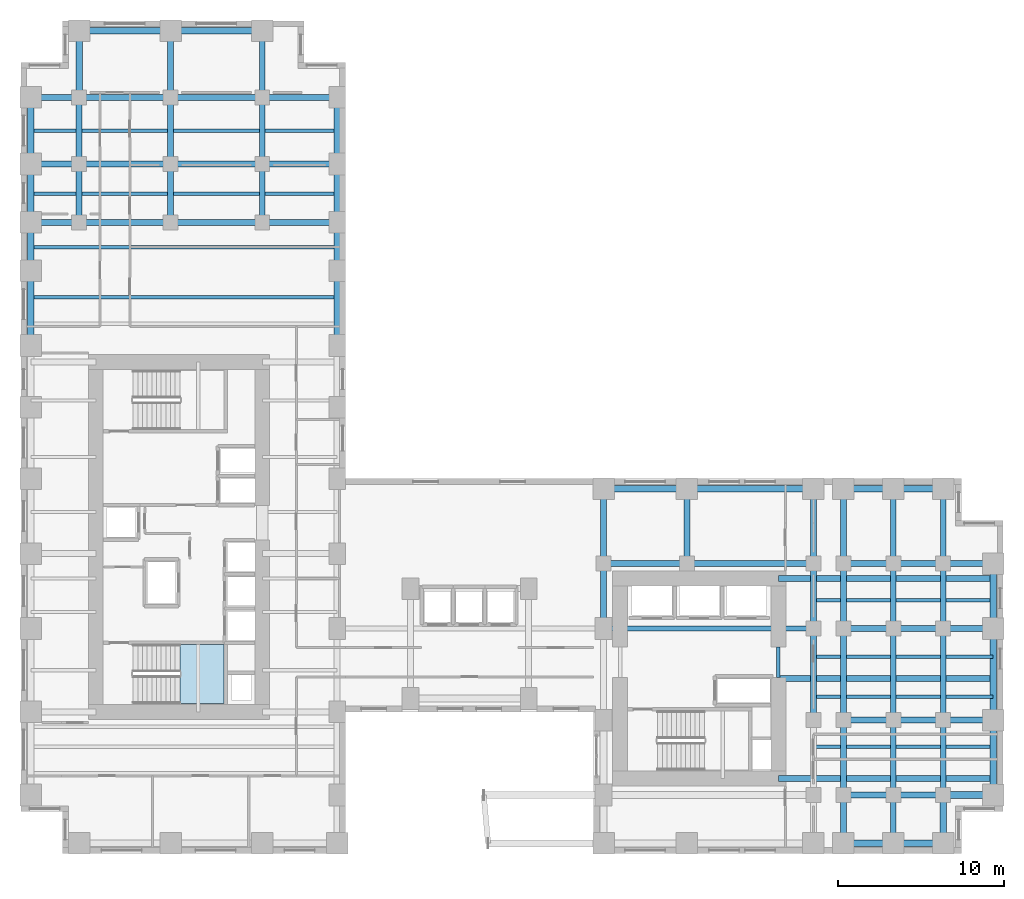
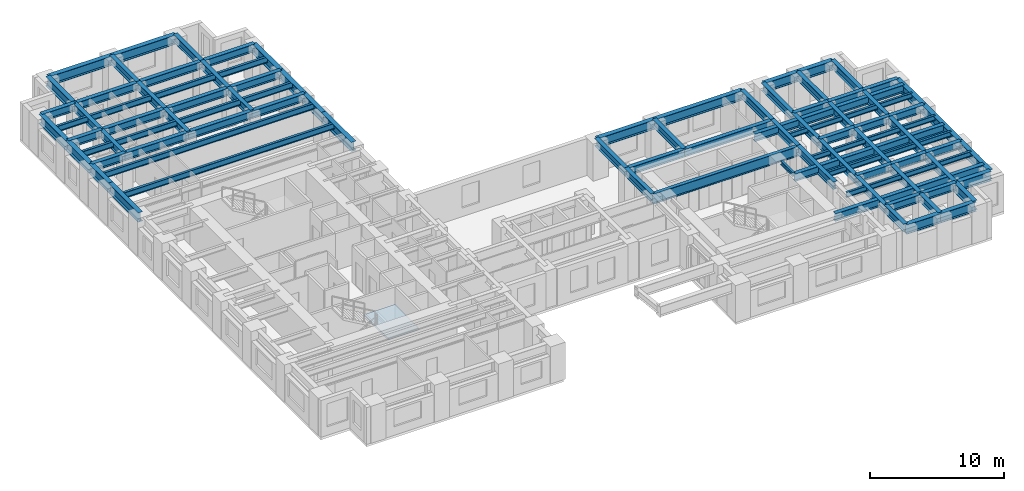
# One storey, part 4 of 14: 88 beams, 1 slab, 1 element without a shape of its own.
"""IFC4 building model written with IfcOpenShell, lengths in metres."""

import ifcopenshell
import ifcopenshell.guid

model = None  # the IFC model being written
_history = None  # IfcOwnerHistory: only IFC2X3 demands one
_inside = {}  # id of a spatial element -> (the spatial element, [elements in it])
_under = {}  # id of a project, library or spatial element -> (it, [spatial elements below it])
_declared = {}  # id of a project -> (the project, [libraries it declares])
_typed = {}  # id of a type object -> (the type object, [elements of that type])
_made_of = {}  # id of a material, layer set ... -> (it, [elements and type objects made of it])


def new_model(schema):
    """Start an empty IFC model of exactly this schema.

    Asked for "IFC4X3", IfcOpenShell would pick the latest addendum, in which some entities
    have other attributes; the version numbers below select the first issue.
    IFC2X3 requires an IfcOwnerHistory on every rooted entity: one is made here for all.
    """
    global model, _history
    if schema == "IFC4X3":
        model = ifcopenshell.file(schema_version=(4, 3, 0, 0))
    else:
        model = ifcopenshell.file(schema=schema)
    _inside.clear()
    _under.clear()
    _declared.clear()
    _typed.clear()
    _made_of.clear()
    _history = None
    if model.schema == "IFC2X3":
        org = make("IfcOrganization", Name="unknown")
        user = make(
            "IfcPersonAndOrganization",
            ThePerson=make("IfcPerson", FamilyName="unknown"),
            TheOrganization=org,
        )
        app = make(
            "IfcApplication",
            ApplicationDeveloper=org,
            Version="unknown",
            ApplicationFullName="unknown",
            ApplicationIdentifier="unknown",
        )
        _history = make(
            "IfcOwnerHistory",
            OwningUser=user,
            OwningApplication=app,
            ChangeAction="ADDED",
            CreationDate=0,
        )
    return model


def make(cls, **values):
    """One entity of the class cls with the attributes given. An attribute that is None is left unset."""
    return model.create_entity(
        cls, **{name: value for name, value in values.items() if value is not None}
    )


def rooted(cls, **values):
    """An entity with a GlobalId (a new one), such as an element, a storey or a relation."""
    return make(cls, GlobalId=ifcopenshell.guid.new(), OwnerHistory=_history, **values)


def si_unit(unit_type, name, prefix=None):
    """IfcSIUnit, for example si_unit("LENGTHUNIT", "METRE", prefix="MILLI")."""
    return make("IfcSIUnit", UnitType=unit_type, Prefix=prefix, Name=name)


def assignment(units):
    """IfcUnitAssignment: the units of a project."""
    return None if units is None else make("IfcUnitAssignment", Units=units)


def point(xyz):
    """IfcCartesianPoint."""
    return None if xyz is None else make("IfcCartesianPoint", Coordinates=xyz)


def direction(xyz):
    """IfcDirection."""
    return None if xyz is None else make("IfcDirection", DirectionRatios=xyz)


def frame(location, z_axis=None, x_axis=None):
    """IfcAxis2Placement3D, a coordinate frame: its origin and axes. An axis left out is left unset."""
    return make(
        "IfcAxis2Placement3D",
        Location=point(location),
        Axis=direction(z_axis),
        RefDirection=direction(x_axis),
    )


def frame_2d(location, x_axis=None):
    """IfcAxis2Placement2D, a coordinate frame in the plane: its origin and x axis."""
    return make(
        "IfcAxis2Placement2D", Location=point(location), RefDirection=direction(x_axis)
    )


def origin():
    """The frame at (0, 0, 0) with its axes left unset."""
    return frame((0.0, 0.0, 0.0))


def origin_2d():
    """The frame at (0, 0) in the plane with its x axis left unset."""
    return frame_2d((0.0, 0.0))


def place(relative_to, where):
    """IfcLocalPlacement: puts the frame where relative to a parent placement (None: the world)."""
    return make(
        "IfcLocalPlacement", PlacementRelTo=relative_to, RelativePlacement=where
    )


def context(
    kind, dimensions, precision=None, world=None, true_north=None, identifier=None
):
    """IfcGeometricRepresentationContext, for example the 3D "Model" context."""
    return make(
        "IfcGeometricRepresentationContext",
        ContextIdentifier=identifier,
        ContextType=kind,
        CoordinateSpaceDimension=dimensions,
        Precision=precision,
        WorldCoordinateSystem=world,
        TrueNorth=true_north,
    )


def subcontext(parent, identifier, kind, view, scale=None):
    """IfcGeometricRepresentationSubContext, for example "Body" below "Model"."""
    return make(
        "IfcGeometricRepresentationSubContext",
        ContextIdentifier=identifier,
        ContextType=kind,
        ParentContext=parent,
        TargetScale=scale,
        TargetView=view,
    )


def project(units=None, contexts=None):
    """IfcProject with its units and contexts."""
    return rooted(
        "IfcProject",
        Name="project",
        RepresentationContexts=contexts,
        UnitsInContext=assignment(units),
    )


def spatial(cls, under=None, at=None, **own):
    """A site, building, storey or space (cls), placed at a placement, below another one or the project."""
    s = rooted(cls, ObjectPlacement=at, **own)
    if under is not None:
        _under.setdefault(under.id(), (under, []))[1].append(s)
    return s


def polyline(points):
    """IfcPolyline through the points."""
    return make("IfcPolyline", Points=[point(p) for p in points])


def profile(cls, at=None, kind="AREA", **sizes):
    """A parametric profile (cls). Its sizes go by their IFC names, for example OverallWidth=200.0."""
    return make(cls, ProfileType=kind, Position=at, **sizes)


def i_section(**sizes):
    """IfcIShapeProfileDef."""
    return profile("IfcIShapeProfileDef", **sizes)


def outline(outer, holes=None, kind="AREA"):
    """IfcArbitraryClosedProfileDef: a profile drawn as a closed curve; with holes, ...WithVoids."""
    if holes is None:
        return make("IfcArbitraryClosedProfileDef", ProfileType=kind, OuterCurve=outer)
    return make(
        "IfcArbitraryProfileDefWithVoids",
        ProfileType=kind,
        OuterCurve=outer,
        InnerCurves=holes,
    )


def extrude(swept, where, along, depth):
    """IfcExtrudedAreaSolid: the profile swept, set in the frame where, extruded along a direction by depth."""
    return make(
        "IfcExtrudedAreaSolid",
        SweptArea=swept,
        Position=where,
        ExtrudedDirection=direction(along),
        Depth=depth,
    )


def shape(context_of_items, identifier, shape_type, items):
    """IfcShapeRepresentation: the items that make up one representation, for example the "Body"."""
    return make(
        "IfcShapeRepresentation",
        ContextOfItems=context_of_items,
        RepresentationIdentifier=identifier,
        RepresentationType=shape_type,
        Items=items,
    )


def source(mapping_origin, context_of_items, identifier, shape_type, items):
    """IfcRepresentationMap: a shape defined once, which mapped items show again and again."""
    return make(
        "IfcRepresentationMap",
        MappingOrigin=mapping_origin,
        MappedRepresentation=shape(context_of_items, identifier, shape_type, items),
    )


def transform(
    local_origin,
    x_axis=None,
    y_axis=None,
    z_axis=None,
    scale=None,
    scale2=None,
    scale3=None,
    uniform=True,
):
    """IfcCartesianTransformationOperator3D, or its non-uniform kind. x_axis, y_axis, z_axis: its Axis1, 2, 3."""
    if uniform:
        return make(
            "IfcCartesianTransformationOperator3D",
            Axis1=direction(x_axis),
            Axis2=direction(y_axis),
            LocalOrigin=point(local_origin),
            Scale=scale,
            Axis3=direction(z_axis),
        )
    return make(
        "IfcCartesianTransformationOperator3DnonUniform",
        Axis1=direction(x_axis),
        Axis2=direction(y_axis),
        LocalOrigin=point(local_origin),
        Scale=scale,
        Axis3=direction(z_axis),
        Scale2=scale2,
        Scale3=scale3,
    )


def mapped(mapping_source, mapping_target):
    """IfcMappedItem: shows the shape of a source again, moved by a transform."""
    return make(
        "IfcMappedItem", MappingSource=mapping_source, MappingTarget=mapping_target
    )


def material(Name=None, Category=None):
    """IfcMaterial."""
    return make("IfcMaterial", Name=Name, Category=Category)


def layer(
    of_material, thickness, ventilated=None, Name=None, Category=None, Priority=None
):
    """IfcMaterialLayer: one layer of a wall or slab, of a material (None: an air gap)."""
    return make(
        "IfcMaterialLayer",
        Material=of_material,
        LayerThickness=thickness,
        IsVentilated=ventilated,
        Name=Name,
        Category=Category,
        Priority=Priority,
    )


def layer_set(layers, Name=None):
    """IfcMaterialLayerSet."""
    return make("IfcMaterialLayerSet", MaterialLayers=layers, LayerSetName=Name)


def material_profile(
    of_material, cross_section, Name=None, Category=None, Priority=None
):
    """IfcMaterialProfile: a cross section and its material."""
    return make(
        "IfcMaterialProfile",
        Name=Name,
        Material=of_material,
        Profile=cross_section,
        Priority=Priority,
        Category=Category,
    )


def profile_set(profiles, Name=None, composite=None):
    """IfcMaterialProfileSet."""
    return make(
        "IfcMaterialProfileSet",
        Name=Name,
        MaterialProfiles=profiles,
        CompositeProfile=composite,
    )


def made_of(thing, what):
    """Note that an element or type object is made of a material, layer set ...; save() writes the relation."""
    if what is not None:
        _made_of.setdefault(what.id(), (what, []))[1].append(thing)
    return thing


def type_object(cls, material=None, **own):
    """A type object (cls), such as IfcWallType, which elements share."""
    return made_of(rooted(cls, **own), material)


def element(
    cls,
    number,
    at=None,
    inside=None,
    cuts=None,
    type_object=None,
    material=None,
    context=None,
    identifier="Body",
    shape_type=None,
    held_by="IfcProductDefinitionShape",
    body=None,
    shapes=None,
    **own,
):
    """One element of the class cls, such as IfcWall. Its Tag is "e" and its number.

    at: its placement. inside: the storey or other place that contains it. cuts: it is an
    opening in that element (IfcRelVoidsElement). A single representation is given by context,
    identifier, shape_type and body (its items); several are given by shapes. held_by: the class
    of the entity that holds the representations. save() writes the other relations.
    """
    e = rooted(cls, Tag="e%d" % number, ObjectPlacement=at, **own)
    if body is not None:
        shapes = [shape(context, identifier, shape_type, body)]
    if shapes is not None:
        e.Representation = make(held_by, Representations=shapes)
    if inside is not None:
        _inside.setdefault(inside.id(), (inside, []))[1].append(e)
    if cuts is not None:
        rooted(
            "IfcRelVoidsElement", RelatingBuildingElement=cuts, RelatedOpeningElement=e
        )
    if type_object is not None:
        _typed.setdefault(type_object.id(), (type_object, []))[1].append(e)
    return made_of(e, material)


def aggregate(whole, parts):
    """IfcRelAggregates: a whole, such as a stair, and the parts it consists of."""
    return rooted("IfcRelAggregates", RelatingObject=whole, RelatedObjects=parts)


def save(model, path):
    """Write the relations noted so far, then the file.

    IfcRelAggregates (storeys below a building ...), IfcRelContainedInSpatialStructure (elements
    in a storey), IfcRelDefinesByType, IfcRelAssociatesMaterial and IfcRelDeclares: one each for
    every whole, place, type object, material and project.
    """
    for whole, parts in _under.values():
        aggregate(whole, parts)
    for where, things in _inside.values():
        rooted(
            "IfcRelContainedInSpatialStructure",
            RelatedElements=things,
            RelatingStructure=where,
        )
    for kind, things in _typed.values():
        rooted("IfcRelDefinesByType", RelatedObjects=things, RelatingType=kind)
    for what, things in _made_of.values():
        rooted("IfcRelAssociatesMaterial", RelatedObjects=things, RelatingMaterial=what)
    for by, libraries in _declared.values():
        rooted("IfcRelDeclares", RelatingContext=by, RelatedDefinitions=libraries)
    model.write(path)


model = new_model("IFC4")

# Units and contexts
model_context = context("Model", 3, precision=1e-05, world=origin(), true_north=direction((0.0, 1.0)))
body_context = subcontext(model_context, "Body", "Model", "MODEL_VIEW")
ifc_project = project(units=[si_unit("LENGTHUNIT", "METRE"), si_unit("AREAUNIT", "SQUARE_METRE"), si_unit("VOLUMEUNIT", "CUBIC_METRE"), si_unit("PLANEANGLEUNIT", "RADIAN"), si_unit("MASSUNIT", "GRAM", prefix="KILO")], contexts=[model_context])

# Site, building, storey
site_placement = place(None, origin())
site = spatial("IfcSite", under=ifc_project, at=site_placement, CompositionType="ELEMENT")
building_placement = place(site_placement, origin())
building = spatial("IfcBuilding", under=site, at=building_placement, Name="Kharzan Plaza Tower", CompositionType="ELEMENT")
storey_placement = place(building_placement, frame((0.0, 0.0, 44.10009765625)))
storey = spatial("IfcBuildingStorey", under=building, at=storey_placement, Name="L11", CompositionType="ELEMENT", Elevation=44.10009765625)

# Beams
ifc_material_1 = material(Name="Steel S355", Category="steel")
ifc_material_profile_1 = material_profile(ifc_material_1, i_section(OverallWidth=0.205078125, OverallDepth=0.35400390625, WebThickness=0.009521484375, FlangeThickness=0.016845703125, at=origin_2d()), Name="W360x79")
ifc_profile_set_1 = profile_set([ifc_material_profile_1], Name="Steel S355")
beam_type_1 = type_object("IfcBeamType", Name="BM-LNT360", PredefinedType="LINTEL", material=ifc_profile_set_1)
shared_shape_1 = source(origin(), body_context, "Body", "SweptSolid", [
    extrude(i_section(OverallWidth=0.205078125, OverallDepth=0.35400390625, WebThickness=0.009521484375, FlangeThickness=0.016845703125, at=origin_2d()), origin(), (0.0, 0.0, 1.0), 1.849853515625),
])
beam_1_placement = place(storey_placement, frame((45.5, 10.550048828125, 3.202880859375), z_axis=(0.0, 1.0, 0.0), x_axis=(-1.0, 0.0, 0.0)))
element("IfcBeam", 1, at=beam_1_placement, inside=storey, type_object=beam_type_1, Name="L11 CORE-B coupling lintel LN1-WE", PredefinedType="LINTEL", context=body_context, shape_type="MappedRepresentation", body=[
    mapped(shared_shape_1, transform((0.0, 0.0, 0.0), x_axis=(1.0, 0.0, 0.0), y_axis=(0.0, 1.0, 0.0), z_axis=(0.0, 0.0, 1.0))),
])
ifc_material_profile_2 = material_profile(ifc_material_1, i_section(OverallWidth=0.304931640625, OverallDepth=0.9189453125, WebThickness=0.017333984375, FlangeThickness=0.02783203125, at=origin_2d()), Name="W920x253")
ifc_profile_set_2 = profile_set([ifc_material_profile_2], Name="Steel S355")
beam_type_2 = type_object("IfcBeamType", Name="BM-FG920B", PredefinedType="BEAM", material=ifc_profile_set_2)
shared_shape_2 = source(origin(), body_context, "Body", "SweptSolid", [
    extrude(i_section(OverallWidth=0.304931640625, OverallDepth=0.9189453125, WebThickness=0.017333984375, FlangeThickness=0.02783203125, at=origin_2d()), origin(), (0.0, 0.0, 1.0), 12.60009765625),
])
beam_2_placement = place(storey_placement, frame((35.0, 13.5, 2.92041015625), z_axis=(1.0, 0.0, 0.0), x_axis=(0.0, 1.0, 0.0)))
element("IfcBeam", 2, at=beam_2_placement, inside=storey, type_object=beam_type_2, Name="L11 Primary Floor Girder", PredefinedType="BEAM", context=body_context, shape_type="MappedRepresentation", body=[
    mapped(shared_shape_2, transform((0.0, 0.0, 0.0), x_axis=(1.0, 0.0, 0.0), y_axis=(0.0, 1.0, 0.0), z_axis=(0.0, 0.0, 1.0))),
])
ifc_material_profile_3 = material_profile(ifc_material_1, i_section(OverallWidth=0.35498046875, OverallDepth=0.695068359375, WebThickness=0.015380859375, FlangeThickness=0.02490234375, at=origin_2d()), Name="W690x217")
ifc_profile_set_3 = profile_set([ifc_material_profile_3], Name="Steel S355")
beam_type_3 = type_object("IfcBeamType", Name="BM-FG690A", PredefinedType="BEAM", material=ifc_profile_set_3)
shared_shape_3 = source(origin(), body_context, "Body", "SweptSolid", [
    extrude(i_section(OverallWidth=0.35498046875, OverallDepth=0.695068359375, WebThickness=0.015380859375, FlangeThickness=0.02490234375, at=origin_2d()), origin(), (0.0, 0.0, 1.0), 4.5),
])
for number, where, z_axis, x_axis, name in (
    (3, (35.0, 17.39990234375, 3.032470703125), (0.0, 1.0, 0.0), (-1.0, 0.0, 0.0), "L11 Interior Frame Girder"),
    (4, (40.0, 17.39990234375, 3.032470703125), (0.0, 1.0, 0.0), (-1.0, 0.0, 0.0), "L11 Interior Frame Girder"),
    (5, (47.60009765625, 17.39990234375, 3.032470703125), (0.0, 1.0, 0.0), (-1.0, 0.0, 0.0), "L11 Interior Frame Girder"),
    (6, (49.39990234375, 3.5, 3.032470703125), (0.0, 1.0, 0.0), (-1.0, 0.0, 0.0), "L11 Interior Frame Girder"),
    (7, (49.39990234375, 17.39990234375, 3.032470703125), (0.0, 1.0, 0.0), (-1.0, 0.0, 0.0), "L11 Interior Frame Girder"),
    (8, (52.39990234375, 3.5, 3.032470703125), (0.0, 1.0, 0.0), (-1.0, 0.0, 0.0), "L11 Interior Frame Girder"),
    (9, (52.39990234375, 17.39990234375, 3.032470703125), (0.0, 1.0, 0.0), (-1.0, 0.0, 0.0), "L11 Interior Frame Girder"),
    (10, (55.39990234375, 3.5, 3.032470703125), (0.0, 1.0, 0.0), (-1.0, 0.0, 0.0), "L11 Interior Frame Girder"),
    (11, (55.39990234375, 17.39990234375, 3.032470703125), (0.0, 1.0, 0.0), (-1.0, 0.0, 0.0), "L11 Interior Frame Girder"),
    (12, (14.5, 41.39990234375, 3.032470703125), (1.0, 0.0, 0.0), (0.0, 1.0, 0.0), "L11 Primary Floor Girder"),
    (13, (14.5, 45.39990234375, 3.032470703125), (1.0, 0.0, 0.0), (0.0, 1.0, 0.0), "L11 Primary Floor Girder"),
    (14, (14.5, 37.89990234375, 3.032470703125), (1.0, 0.0, 0.0), (0.0, 1.0, 0.0), "L11 Primary Floor Girder"),
):
    element("IfcBeam", number, at=place(storey_placement, frame(where, z_axis=z_axis, x_axis=x_axis)), inside=storey, type_object=beam_type_3, Name=name, PredefinedType="BEAM", context=body_context, shape_type="MappedRepresentation", body=[
        mapped(shared_shape_3, transform((0.0, 0.0, 0.0), x_axis=(1.0, 0.0, 0.0), y_axis=(0.0, 1.0, 0.0), z_axis=(0.0, 0.0, 1.0))),
    ])
shared_shape_4 = source(origin(), body_context, "Body", "SweptSolid", [
    extrude(i_section(OverallWidth=0.35498046875, OverallDepth=0.695068359375, WebThickness=0.015380859375, FlangeThickness=0.02490234375, at=origin_2d()), origin(), (0.0, 0.0, 1.0), 3.89990234375),
])
for number, where, z_axis, x_axis, name in (
    (15, (35.0, 13.5, 3.032470703125), (0.0, 1.0, 0.0), (-1.0, 0.0, 0.0), "L11 Interior Frame Girder"),
    (16, (47.60009765625, 13.5, 3.032470703125), (0.0, 1.0, 0.0), (-1.0, 0.0, 0.0), "L11 Interior Frame Girder"),
    (17, (49.39990234375, 13.5, 3.032470703125), (0.0, 1.0, 0.0), (-1.0, 0.0, 0.0), "L11 Interior Frame Girder"),
    (18, (52.39990234375, 13.5, 3.032470703125), (0.0, 1.0, 0.0), (-1.0, 0.0, 0.0), "L11 Interior Frame Girder"),
    (19, (55.39990234375, 13.5, 3.032470703125), (0.0, 1.0, 0.0), (-1.0, 0.0, 0.0), "L11 Interior Frame Girder"),
):
    element("IfcBeam", number, at=place(storey_placement, frame(where, z_axis=z_axis, x_axis=x_axis)), inside=storey, type_object=beam_type_3, Name=name, PredefinedType="BEAM", context=body_context, shape_type="MappedRepresentation", body=[
        mapped(shared_shape_4, transform((0.0, 0.0, 0.0), x_axis=(1.0, 0.0, 0.0), y_axis=(0.0, 1.0, 0.0), z_axis=(0.0, 0.0, 1.0))),
    ])
shared_shape_5 = source(origin(), body_context, "Body", "SweptSolid", [
    extrude(i_section(OverallWidth=0.35498046875, OverallDepth=0.695068359375, WebThickness=0.015380859375, FlangeThickness=0.02490234375, at=origin_2d()), origin(), (0.0, 0.0, 1.0), 12.89990234375),
])
for number, where, z_axis, x_axis, name in (
    (20, (45.5, 4.5, 3.032470703125), (1.0, 0.0, 0.0), (0.0, 1.0, 0.0), "L11 Core-B East Floor Girder 1"),
    (21, (45.5, 10.5, 3.032470703125), (1.0, 0.0, 0.0), (0.0, 1.0, 0.0), "L11 Core-B East Floor Girder 2"),
    (22, (45.5, 16.5, 3.032470703125), (1.0, 0.0, 0.0), (0.0, 1.0, 0.0), "L11 Core-B East Floor Girder 3"),
):
    element("IfcBeam", number, at=place(storey_placement, frame(where, z_axis=z_axis, x_axis=x_axis)), inside=storey, type_object=beam_type_3, Name=name, PredefinedType="BEAM", context=body_context, shape_type="MappedRepresentation", body=[
        mapped(shared_shape_5, transform((0.0, 0.0, 0.0), x_axis=(1.0, 0.0, 0.0), y_axis=(0.0, 1.0, 0.0), z_axis=(0.0, 0.0, 1.0))),
    ])
shared_shape_6 = source(origin(), body_context, "Body", "SweptSolid", [
    extrude(i_section(OverallWidth=0.35498046875, OverallDepth=0.695068359375, WebThickness=0.015380859375, FlangeThickness=0.02490234375, at=origin_2d()), origin(), (0.0, 0.0, 1.0), 3.5),
])
for number, where, z_axis, x_axis, name in (
    (23, (3.5, 37.89990234375, 3.032470703125), (0.0, 1.0, 0.0), (-1.0, 0.0, 0.0), "L11 Interior Frame Girder"),
    (24, (9.0, 37.89990234375, 3.032470703125), (0.0, 1.0, 0.0), (-1.0, 0.0, 0.0), "L11 Interior Frame Girder"),
    (25, (14.5, 37.89990234375, 3.032470703125), (0.0, 1.0, 0.0), (-1.0, 0.0, 0.0), "L11 Interior Frame Girder"),
):
    element("IfcBeam", number, at=place(storey_placement, frame(where, z_axis=z_axis, x_axis=x_axis)), inside=storey, type_object=beam_type_3, Name=name, PredefinedType="BEAM", context=body_context, shape_type="MappedRepresentation", body=[
        mapped(shared_shape_6, transform((0.0, 0.0, 0.0), x_axis=(1.0, 0.0, 0.0), y_axis=(0.0, 1.0, 0.0), z_axis=(0.0, 0.0, 1.0))),
    ])
shared_shape_7 = source(origin(), body_context, "Body", "SweptSolid", [
    extrude(i_section(OverallWidth=0.35498046875, OverallDepth=0.695068359375, WebThickness=0.015380859375, FlangeThickness=0.02490234375, at=origin_2d()), origin(), (0.0, 0.0, 1.0), 4.0),
])
for number, where, z_axis, x_axis, name in (
    (26, (3.5, 41.39990234375, 3.032470703125), (0.0, 1.0, 0.0), (-1.0, 0.0, 0.0), "L11 Interior Frame Girder"),
    (27, (9.0, 41.39990234375, 3.032470703125), (0.0, 1.0, 0.0), (-1.0, 0.0, 0.0), "L11 Interior Frame Girder"),
    (28, (9.0, 45.39990234375, 3.032470703125), (0.0, 1.0, 0.0), (-1.0, 0.0, 0.0), "L11 Interior Frame Girder"),
    (29, (14.5, 41.39990234375, 3.032470703125), (0.0, 1.0, 0.0), (-1.0, 0.0, 0.0), "L11 Interior Frame Girder"),
    (30, (14.5, 45.39990234375, 3.032470703125), (0.0, 1.0, 0.0), (-1.0, 0.0, 0.0), "L11 Interior Frame Girder"),
):
    element("IfcBeam", number, at=place(storey_placement, frame(where, z_axis=z_axis, x_axis=x_axis)), inside=storey, type_object=beam_type_3, Name=name, PredefinedType="BEAM", context=body_context, shape_type="MappedRepresentation", body=[
        mapped(shared_shape_7, transform((0.0, 0.0, 0.0), x_axis=(1.0, 0.0, 0.0), y_axis=(0.0, 1.0, 0.0), z_axis=(0.0, 0.0, 1.0))),
    ])
shared_shape_8 = source(origin(), body_context, "Body", "SweptSolid", [
    extrude(i_section(OverallWidth=0.35498046875, OverallDepth=0.695068359375, WebThickness=0.015380859375, FlangeThickness=0.02490234375, at=origin_2d()), origin(), (0.0, 0.0, 1.0), 5.0),
])
beam_3_placement = place(storey_placement, frame((35.0, 17.39990234375, 3.032470703125), z_axis=(1.0, 0.0, 0.0), x_axis=(0.0, 1.0, 0.0)))
element("IfcBeam", 31, at=beam_3_placement, inside=storey, type_object=beam_type_3, Name="L11 Primary Floor Girder", PredefinedType="BEAM", context=body_context, shape_type="MappedRepresentation", body=[
    mapped(shared_shape_8, transform((0.0, 0.0, 0.0), x_axis=(1.0, 0.0, 0.0), y_axis=(0.0, 1.0, 0.0), z_axis=(0.0, 0.0, 1.0))),
])
shared_shape_9 = source(origin(), body_context, "Body", "SweptSolid", [
    extrude(i_section(OverallWidth=0.35498046875, OverallDepth=0.695068359375, WebThickness=0.015380859375, FlangeThickness=0.02490234375, at=origin_2d()), origin(), (0.0, 0.0, 1.0), 5.5),
])
for number, where, z_axis, x_axis, name in (
    (32, (47.60009765625, 8.0, 3.032470703125), (0.0, 1.0, 0.0), (-1.0, 0.0, 0.0), "L11 Interior Frame Girder"),
    (33, (49.39990234375, 8.0, 3.032470703125), (0.0, 1.0, 0.0), (-1.0, 0.0, 0.0), "L11 Interior Frame Girder"),
    (34, (52.39990234375, 8.0, 3.032470703125), (0.0, 1.0, 0.0), (-1.0, 0.0, 0.0), "L11 Interior Frame Girder"),
    (35, (55.39990234375, 8.0, 3.032470703125), (0.0, 1.0, 0.0), (-1.0, 0.0, 0.0), "L11 Interior Frame Girder"),
    (36, (3.5, 45.39990234375, 3.032470703125), (1.0, 0.0, 0.0), (0.0, 1.0, 0.0), "L11 Primary Floor Girder"),
    (37, (9.0, 45.39990234375, 3.032470703125), (1.0, 0.0, 0.0), (0.0, 1.0, 0.0), "L11 Primary Floor Girder"),
    (38, (3.5, 37.89990234375, 3.032470703125), (1.0, 0.0, 0.0), (0.0, 1.0, 0.0), "L11 Primary Floor Girder"),
    (39, (9.0, 37.89990234375, 3.032470703125), (1.0, 0.0, 0.0), (0.0, 1.0, 0.0), "L11 Primary Floor Girder"),
    (40, (3.5, 41.39990234375, 3.032470703125), (1.0, 0.0, 0.0), (0.0, 1.0, 0.0), "L11 Primary Floor Girder"),
    (41, (9.0, 41.39990234375, 3.032470703125), (1.0, 0.0, 0.0), (0.0, 1.0, 0.0), "L11 Primary Floor Girder"),
):
    element("IfcBeam", number, at=place(storey_placement, frame(where, z_axis=z_axis, x_axis=x_axis)), inside=storey, type_object=beam_type_3, Name=name, PredefinedType="BEAM", context=body_context, shape_type="MappedRepresentation", body=[
        mapped(shared_shape_9, transform((0.0, 0.0, 0.0), x_axis=(1.0, 0.0, 0.0), y_axis=(0.0, 1.0, 0.0), z_axis=(0.0, 0.0, 1.0))),
    ])
shared_shape_10 = source(origin(), body_context, "Body", "SweptSolid", [
    extrude(i_section(OverallWidth=0.35498046875, OverallDepth=0.695068359375, WebThickness=0.015380859375, FlangeThickness=0.02490234375, at=origin_2d()), origin(), (0.0, 0.0, 1.0), 2.89990234375),
])
for number, where, z_axis, x_axis, name in (
    (42, (49.39990234375, 0.60009765625, 3.032470703125), (0.0, 1.0, 0.0), (-1.0, 0.0, 0.0), "L11 Interior Frame Girder"),
    (43, (52.39990234375, 0.60009765625, 3.032470703125), (0.0, 1.0, 0.0), (-1.0, 0.0, 0.0), "L11 Interior Frame Girder"),
    (44, (0.60009765625, 45.39990234375, 3.032470703125), (1.0, 0.0, 0.0), (0.0, 1.0, 0.0), "L11 Primary Floor Girder"),
    (45, (0.60009765625, 37.89990234375, 3.032470703125), (1.0, 0.0, 0.0), (0.0, 1.0, 0.0), "L11 Primary Floor Girder"),
    (46, (0.60009765625, 41.39990234375, 3.032470703125), (1.0, 0.0, 0.0), (0.0, 1.0, 0.0), "L11 Primary Floor Girder"),
):
    element("IfcBeam", number, at=place(storey_placement, frame(where, z_axis=z_axis, x_axis=x_axis)), inside=storey, type_object=beam_type_3, Name=name, PredefinedType="BEAM", context=body_context, shape_type="MappedRepresentation", body=[
        mapped(shared_shape_10, transform((0.0, 0.0, 0.0), x_axis=(1.0, 0.0, 0.0), y_axis=(0.0, 1.0, 0.0), z_axis=(0.0, 0.0, 1.0))),
    ])
shared_shape_11 = source(origin(), body_context, "Body", "SweptSolid", [
    extrude(i_section(OverallWidth=0.35498046875, OverallDepth=0.695068359375, WebThickness=0.015380859375, FlangeThickness=0.02490234375, at=origin_2d()), origin(), (0.0, 0.0, 1.0), 3.0),
])
for number, where, z_axis, x_axis, name in (
    (47, (49.39990234375, 3.5, 3.032470703125), (1.0, 0.0, 0.0), (0.0, 1.0, 0.0), "L11 Primary Floor Girder"),
    (48, (52.39990234375, 3.5, 3.032470703125), (1.0, 0.0, 0.0), (0.0, 1.0, 0.0), "L11 Primary Floor Girder"),
    (49, (49.39990234375, 8.0, 3.032470703125), (1.0, 0.0, 0.0), (0.0, 1.0, 0.0), "L11 Primary Floor Girder"),
    (50, (52.39990234375, 8.0, 3.032470703125), (1.0, 0.0, 0.0), (0.0, 1.0, 0.0), "L11 Primary Floor Girder"),
    (51, (55.39990234375, 8.0, 3.032470703125), (1.0, 0.0, 0.0), (0.0, 1.0, 0.0), "L11 Primary Floor Girder"),
    (52, (49.39990234375, 13.5, 3.032470703125), (1.0, 0.0, 0.0), (0.0, 1.0, 0.0), "L11 Primary Floor Girder"),
    (53, (52.39990234375, 13.5, 3.032470703125), (1.0, 0.0, 0.0), (0.0, 1.0, 0.0), "L11 Primary Floor Girder"),
    (54, (55.39990234375, 13.5, 3.032470703125), (1.0, 0.0, 0.0), (0.0, 1.0, 0.0), "L11 Primary Floor Girder"),
    (55, (49.39990234375, 17.39990234375, 3.032470703125), (1.0, 0.0, 0.0), (0.0, 1.0, 0.0), "L11 Primary Floor Girder"),
    (56, (52.39990234375, 17.39990234375, 3.032470703125), (1.0, 0.0, 0.0), (0.0, 1.0, 0.0), "L11 Primary Floor Girder"),
    (57, (55.39990234375, 17.39990234375, 3.032470703125), (1.0, 0.0, 0.0), (0.0, 1.0, 0.0), "L11 Primary Floor Girder"),
):
    element("IfcBeam", number, at=place(storey_placement, frame(where, z_axis=z_axis, x_axis=x_axis)), inside=storey, type_object=beam_type_3, Name=name, PredefinedType="BEAM", context=body_context, shape_type="MappedRepresentation", body=[
        mapped(shared_shape_11, transform((0.0, 0.0, 0.0), x_axis=(1.0, 0.0, 0.0), y_axis=(0.0, 1.0, 0.0), z_axis=(0.0, 0.0, 1.0))),
    ])
shared_shape_12 = source(origin(), body_context, "Body", "SweptSolid", [
    extrude(i_section(OverallWidth=0.35498046875, OverallDepth=0.695068359375, WebThickness=0.015380859375, FlangeThickness=0.02490234375, at=origin_2d()), origin(), (0.0, 0.0, 1.0), 7.60009765625),
])
beam_4_placement = place(storey_placement, frame((40.0, 17.39990234375, 3.032470703125), z_axis=(1.0, 0.0, 0.0), x_axis=(0.0, 1.0, 0.0)))
element("IfcBeam", 58, at=beam_4_placement, inside=storey, type_object=beam_type_3, Name="L11 Primary Floor Girder", PredefinedType="BEAM", context=body_context, shape_type="MappedRepresentation", body=[
    mapped(shared_shape_12, transform((0.0, 0.0, 0.0), x_axis=(1.0, 0.0, 0.0), y_axis=(0.0, 1.0, 0.0), z_axis=(0.0, 0.0, 1.0))),
])
ifc_material_profile_4 = material_profile(ifc_material_1, i_section(OverallWidth=0.2099609375, OverallDepth=0.537109375, WebThickness=0.010986328125, FlangeThickness=0.017333984375, at=origin_2d()), Name="W530x101")
ifc_profile_set_4 = profile_set([ifc_material_profile_4], Name="Steel S355")
beam_type_4 = type_object("IfcBeamType", Name="BM-JST530B", PredefinedType="JOIST", material=ifc_profile_set_4)
shared_shape_13 = source(origin(), body_context, "Body", "SweptSolid", [
    extrude(i_section(OverallWidth=0.2099609375, OverallDepth=0.537109375, WebThickness=0.010986328125, FlangeThickness=0.017333984375, at=origin_2d()), origin(), (0.0, 0.0, 1.0), 18.39990234375),
])
for number, where, z_axis, x_axis, name in (
    (59, (0.60009765625, 33.39990234375, 3.111328125), (1.0, 0.0, 0.0), (0.0, 1.0, 0.0), "L11 Wing A Composite Joist 05"),
    (60, (0.60009765625, 36.39990234375, 3.111328125), (1.0, 0.0, 0.0), (0.0, 1.0, 0.0), "L11 Wing A Composite Joist 06"),
    (61, (0.60009765625, 39.60009765625, 3.111328125), (1.0, 0.0, 0.0), (0.0, 1.0, 0.0), "L11 Wing A Composite Joist 07"),
    (62, (0.60009765625, 43.39990234375, 3.111328125), (1.0, 0.0, 0.0), (0.0, 1.0, 0.0), "L11 Wing A Composite Joist 08"),
):
    element("IfcBeam", number, at=place(storey_placement, frame(where, z_axis=z_axis, x_axis=x_axis)), inside=storey, type_object=beam_type_4, Name=name, PredefinedType="JOIST", context=body_context, shape_type="MappedRepresentation", body=[
        mapped(shared_shape_13, transform((0.0, 0.0, 0.0), x_axis=(1.0, 0.0, 0.0), y_axis=(0.0, 1.0, 0.0), z_axis=(0.0, 0.0, 1.0))),
    ])
ifc_material_profile_5 = material_profile(ifc_material_1, i_section(OverallWidth=0.194091796875, OverallDepth=0.468994140625, WebThickness=0.011474609375, FlangeThickness=0.0205078125, at=origin_2d()), Name="W460x106")
ifc_profile_set_5 = profile_set([ifc_material_profile_5], Name="Steel S355")
beam_type_5 = type_object("IfcBeamType", Name="BM-JST460", PredefinedType="JOIST", material=ifc_profile_set_5)
shared_shape_14 = source(origin(), body_context, "Body", "SweptSolid", [
    extrude(i_section(OverallWidth=0.194091796875, OverallDepth=0.468994140625, WebThickness=0.011474609375, FlangeThickness=0.0205078125, at=origin_2d()), origin(), (0.0, 0.0, 1.0), 10.7998046875),
])
for number, where, z_axis, x_axis, name in (
    (63, (47.60009765625, 6.39990234375, 3.1455078125), (1.0, 0.0, 0.0), (0.0, 1.0, 0.0), "L11 Wing B Composite Joist 02"),
    (64, (47.60009765625, 9.39990234375, 3.1455078125), (1.0, 0.0, 0.0), (0.0, 1.0, 0.0), "L11 Wing B Composite Joist 03"),
    (65, (47.60009765625, 11.800048828125, 3.1455078125), (1.0, 0.0, 0.0), (0.0, 1.0, 0.0), "L11 Wing B Composite Joist 04"),
    (66, (47.60009765625, 15.199951171875, 3.1455078125), (1.0, 0.0, 0.0), (0.0, 1.0, 0.0), "L11 Wing B Composite Joist 05"),
):
    element("IfcBeam", number, at=place(storey_placement, frame(where, z_axis=z_axis, x_axis=x_axis)), inside=storey, type_object=beam_type_5, Name=name, PredefinedType="JOIST", context=body_context, shape_type="MappedRepresentation", body=[
        mapped(shared_shape_14, transform((0.0, 0.0, 0.0), x_axis=(1.0, 0.0, 0.0), y_axis=(0.0, 1.0, 0.0), z_axis=(0.0, 0.0, 1.0))),
    ])
ifc_material_profile_6 = material_profile(ifc_material_1, i_section(OverallWidth=0.40087890625, OverallDepth=0.85498046875, WebThickness=0.018310546875, FlangeThickness=0.029296875, at=origin_2d()), Name="W840x299")
ifc_profile_set_6 = profile_set([ifc_material_profile_6], Name="Steel S355")
beam_type_6 = type_object("IfcBeamType", Name="BM-SP840A", PredefinedType="SPANDREL", material=ifc_profile_set_6)
shared_shape_15 = source(origin(), body_context, "Body", "SweptSolid", [
    extrude(i_section(OverallWidth=0.40087890625, OverallDepth=0.85498046875, WebThickness=0.018310546875, FlangeThickness=0.029296875, at=origin_2d()), origin(), (0.0, 0.0, 1.0), 5.0),
])
beam_5_placement = place(storey_placement, frame((35.0, 21.89990234375, 2.952392578125), z_axis=(1.0, 0.0, 0.0), x_axis=(0.0, 1.0, 0.0)))
element("IfcBeam", 67, at=beam_5_placement, inside=storey, type_object=beam_type_6, Name="L11 Perimeter Tube Spandrel", PredefinedType="SPANDREL", context=body_context, shape_type="MappedRepresentation", body=[
    mapped(shared_shape_15, transform((0.0, 0.0, 0.0), x_axis=(1.0, 0.0, 0.0), y_axis=(0.0, 1.0, 0.0), z_axis=(0.0, 0.0, 1.0))),
])
shared_shape_16 = source(origin(), body_context, "Body", "SweptSolid", [
    extrude(i_section(OverallWidth=0.40087890625, OverallDepth=0.85498046875, WebThickness=0.018310546875, FlangeThickness=0.029296875, at=origin_2d()), origin(), (0.0, 0.0, 1.0), 4.5),
])
for number, where, z_axis, x_axis, name in (
    (68, (0.60009765625, 30.5, 2.952392578125), (0.0, 1.0, 0.0), (-1.0, 0.0, 0.0), "L11 Perimeter Tube Spandrel"),
    (69, (19.0, 30.5, 2.952392578125), (0.0, 1.0, 0.0), (-1.0, 0.0, 0.0), "L11 Perimeter Tube Spandrel"),
    (70, (58.39990234375, 3.5, 2.952392578125), (0.0, 1.0, 0.0), (-1.0, 0.0, 0.0), "L11 Perimeter Tube Spandrel"),
):
    element("IfcBeam", number, at=place(storey_placement, frame(where, z_axis=z_axis, x_axis=x_axis)), inside=storey, type_object=beam_type_6, Name=name, PredefinedType="SPANDREL", context=body_context, shape_type="MappedRepresentation", body=[
        mapped(shared_shape_16, transform((0.0, 0.0, 0.0), x_axis=(1.0, 0.0, 0.0), y_axis=(0.0, 1.0, 0.0), z_axis=(0.0, 0.0, 1.0))),
    ])
shared_shape_17 = source(origin(), body_context, "Body", "SweptSolid", [
    extrude(i_section(OverallWidth=0.40087890625, OverallDepth=0.85498046875, WebThickness=0.018310546875, FlangeThickness=0.029296875, at=origin_2d()), origin(), (0.0, 0.0, 1.0), 2.89990234375),
])
for number, where, z_axis, x_axis, name in (
    (71, (0.60009765625, 35.0, 2.952392578125), (0.0, 1.0, 0.0), (-1.0, 0.0, 0.0), "L11 Perimeter Tube Spandrel"),
    (72, (19.0, 35.0, 2.952392578125), (0.0, 1.0, 0.0), (-1.0, 0.0, 0.0), "L11 Perimeter Tube Spandrel"),
    (73, (55.39990234375, 0.60009765625, 2.952392578125), (0.0, 1.0, 0.0), (-1.0, 0.0, 0.0), "L11 Perimeter Tube Spandrel"),
):
    element("IfcBeam", number, at=place(storey_placement, frame(where, z_axis=z_axis, x_axis=x_axis)), inside=storey, type_object=beam_type_6, Name=name, PredefinedType="SPANDREL", context=body_context, shape_type="MappedRepresentation", body=[
        mapped(shared_shape_17, transform((0.0, 0.0, 0.0), x_axis=(1.0, 0.0, 0.0), y_axis=(0.0, 1.0, 0.0), z_axis=(0.0, 0.0, 1.0))),
    ])
shared_shape_18 = source(origin(), body_context, "Body", "SweptSolid", [
    extrude(i_section(OverallWidth=0.40087890625, OverallDepth=0.85498046875, WebThickness=0.018310546875, FlangeThickness=0.029296875, at=origin_2d()), origin(), (0.0, 0.0, 1.0), 3.5),
])
for number, where, z_axis, x_axis, name in (
    (74, (0.60009765625, 37.89990234375, 2.952392578125), (0.0, 1.0, 0.0), (-1.0, 0.0, 0.0), "L11 Perimeter Tube Spandrel"),
    (75, (19.0, 37.89990234375, 2.952392578125), (0.0, 1.0, 0.0), (-1.0, 0.0, 0.0), "L11 Perimeter Tube Spandrel"),
):
    element("IfcBeam", number, at=place(storey_placement, frame(where, z_axis=z_axis, x_axis=x_axis)), inside=storey, type_object=beam_type_6, Name=name, PredefinedType="SPANDREL", context=body_context, shape_type="MappedRepresentation", body=[
        mapped(shared_shape_18, transform((0.0, 0.0, 0.0), x_axis=(1.0, 0.0, 0.0), y_axis=(0.0, 1.0, 0.0), z_axis=(0.0, 0.0, 1.0))),
    ])
shared_shape_19 = source(origin(), body_context, "Body", "SweptSolid", [
    extrude(i_section(OverallWidth=0.40087890625, OverallDepth=0.85498046875, WebThickness=0.018310546875, FlangeThickness=0.029296875, at=origin_2d()), origin(), (0.0, 0.0, 1.0), 4.0),
])
for number, where, z_axis, x_axis, name in (
    (76, (0.60009765625, 41.39990234375, 2.952392578125), (0.0, 1.0, 0.0), (-1.0, 0.0, 0.0), "L11 Perimeter Tube Spandrel"),
    (77, (3.5, 45.39990234375, 2.952392578125), (0.0, 1.0, 0.0), (-1.0, 0.0, 0.0), "L11 Perimeter Tube Spandrel"),
    (78, (19.0, 41.39990234375, 2.952392578125), (0.0, 1.0, 0.0), (-1.0, 0.0, 0.0), "L11 Perimeter Tube Spandrel"),
):
    element("IfcBeam", number, at=place(storey_placement, frame(where, z_axis=z_axis, x_axis=x_axis)), inside=storey, type_object=beam_type_6, Name=name, PredefinedType="SPANDREL", context=body_context, shape_type="MappedRepresentation", body=[
        mapped(shared_shape_19, transform((0.0, 0.0, 0.0), x_axis=(1.0, 0.0, 0.0), y_axis=(0.0, 1.0, 0.0), z_axis=(0.0, 0.0, 1.0))),
    ])
shared_shape_20 = source(origin(), body_context, "Body", "SweptSolid", [
    extrude(i_section(OverallWidth=0.40087890625, OverallDepth=0.85498046875, WebThickness=0.018310546875, FlangeThickness=0.029296875, at=origin_2d()), origin(), (0.0, 0.0, 1.0), 5.5),
])
for number, where, z_axis, x_axis, name in (
    (79, (58.39990234375, 8.0, 2.952392578125), (0.0, 1.0, 0.0), (-1.0, 0.0, 0.0), "L11 Perimeter Tube Spandrel"),
    (80, (3.5, 49.39990234375, 2.952392578125), (1.0, 0.0, 0.0), (0.0, 1.0, 0.0), "L11 Perimeter Tube Spandrel"),
    (81, (9.0, 49.39990234375, 2.952392578125), (1.0, 0.0, 0.0), (0.0, 1.0, 0.0), "L11 Perimeter Tube Spandrel"),
):
    element("IfcBeam", number, at=place(storey_placement, frame(where, z_axis=z_axis, x_axis=x_axis)), inside=storey, type_object=beam_type_6, Name=name, PredefinedType="SPANDREL", context=body_context, shape_type="MappedRepresentation", body=[
        mapped(shared_shape_20, transform((0.0, 0.0, 0.0), x_axis=(1.0, 0.0, 0.0), y_axis=(0.0, 1.0, 0.0), z_axis=(0.0, 0.0, 1.0))),
    ])
shared_shape_21 = source(origin(), body_context, "Body", "SweptSolid", [
    extrude(i_section(OverallWidth=0.40087890625, OverallDepth=0.85498046875, WebThickness=0.018310546875, FlangeThickness=0.029296875, at=origin_2d()), origin(), (0.0, 0.0, 1.0), 3.89990234375),
])
beam_6_placement = place(storey_placement, frame((58.39990234375, 13.5, 2.952392578125), z_axis=(0.0, 1.0, 0.0), x_axis=(-1.0, 0.0, 0.0)))
element("IfcBeam", 82, at=beam_6_placement, inside=storey, type_object=beam_type_6, Name="L11 Perimeter Tube Spandrel", PredefinedType="SPANDREL", context=body_context, shape_type="MappedRepresentation", body=[
    mapped(shared_shape_21, transform((0.0, 0.0, 0.0), x_axis=(1.0, 0.0, 0.0), y_axis=(0.0, 1.0, 0.0), z_axis=(0.0, 0.0, 1.0))),
])
shared_shape_22 = source(origin(), body_context, "Body", "SweptSolid", [
    extrude(i_section(OverallWidth=0.40087890625, OverallDepth=0.85498046875, WebThickness=0.018310546875, FlangeThickness=0.029296875, at=origin_2d()), origin(), (0.0, 0.0, 1.0), 7.60009765625),
])
beam_7_placement = place(storey_placement, frame((40.0, 21.89990234375, 2.952392578125), z_axis=(1.0, 0.0, 0.0), x_axis=(0.0, 1.0, 0.0)))
element("IfcBeam", 83, at=beam_7_placement, inside=storey, type_object=beam_type_6, Name="L11 Perimeter Tube Spandrel", PredefinedType="SPANDREL", context=body_context, shape_type="MappedRepresentation", body=[
    mapped(shared_shape_22, transform((0.0, 0.0, 0.0), x_axis=(1.0, 0.0, 0.0), y_axis=(0.0, 1.0, 0.0), z_axis=(0.0, 0.0, 1.0))),
])
shared_shape_23 = source(origin(), body_context, "Body", "SweptSolid", [
    extrude(i_section(OverallWidth=0.40087890625, OverallDepth=0.85498046875, WebThickness=0.018310546875, FlangeThickness=0.029296875, at=origin_2d()), origin(), (0.0, 0.0, 1.0), 3.0),
])
for number, where, z_axis, x_axis, name in (
    (84, (49.39990234375, 0.60009765625, 2.952392578125), (1.0, 0.0, 0.0), (0.0, 1.0, 0.0), "L11 Perimeter Tube Spandrel"),
    (85, (52.39990234375, 0.60009765625, 2.952392578125), (1.0, 0.0, 0.0), (0.0, 1.0, 0.0), "L11 Perimeter Tube Spandrel"),
    (86, (55.39990234375, 3.5, 2.952392578125), (1.0, 0.0, 0.0), (0.0, 1.0, 0.0), "L11 Perimeter Tube Spandrel"),
    (87, (49.39990234375, 21.89990234375, 2.952392578125), (1.0, 0.0, 0.0), (0.0, 1.0, 0.0), "L11 Perimeter Tube Spandrel"),
    (88, (52.39990234375, 21.89990234375, 2.952392578125), (1.0, 0.0, 0.0), (0.0, 1.0, 0.0), "L11 Perimeter Tube Spandrel"),
):
    element("IfcBeam", number, at=place(storey_placement, frame(where, z_axis=z_axis, x_axis=x_axis)), inside=storey, type_object=beam_type_6, Name=name, PredefinedType="SPANDREL", context=body_context, shape_type="MappedRepresentation", body=[
        mapped(shared_shape_23, transform((0.0, 0.0, 0.0), x_axis=(1.0, 0.0, 0.0), y_axis=(0.0, 1.0, 0.0), z_axis=(0.0, 0.0, 1.0))),
    ])

# Stair, slab
ifc_material_2 = material(Name="Concrete C40/50", Category="concrete")
stair_type = type_object("IfcStairType", Name="STR-ST-1", PredefinedType="HALF_TURN_STAIR", material=ifc_material_2)
stair_placement = place(storey_placement, origin())
stair = element("IfcStair", 89, at=stair_placement, inside=storey, type_object=stair_type, Name="L11 Protected Exit Stair ST-1", PredefinedType="HALF_TURN_STAIR")
ifc_layer = layer(ifc_material_2, 0.219970703125)
ifc_layer_set = layer_set([ifc_layer], Name="Concrete C40/50")
slab_type = type_object("IfcSlabType", Name="SL-LANDING-220", PredefinedType="LANDING", material=ifc_layer_set)
slab_placement = place(storey_placement, frame((0.0, 0.0, 1.599853515625)))
slab = element("IfcSlab", 90, at=slab_placement, type_object=slab_type, Name="ST-1 landing 1", PredefinedType="LANDING", context=body_context, shape_type="SweptSolid", body=[
    extrude(outline(polyline([(9.550048828125, 9.0), (12.199951171875, 9.0), (12.199951171875, 12.550048828125), (9.550048828125, 12.550048828125), (9.550048828125, 9.0)])), origin(), (0.0, 0.0, 1.0), 0.199951171875),
])
aggregate(stair, [slab])

save(model, "model.ifc")
